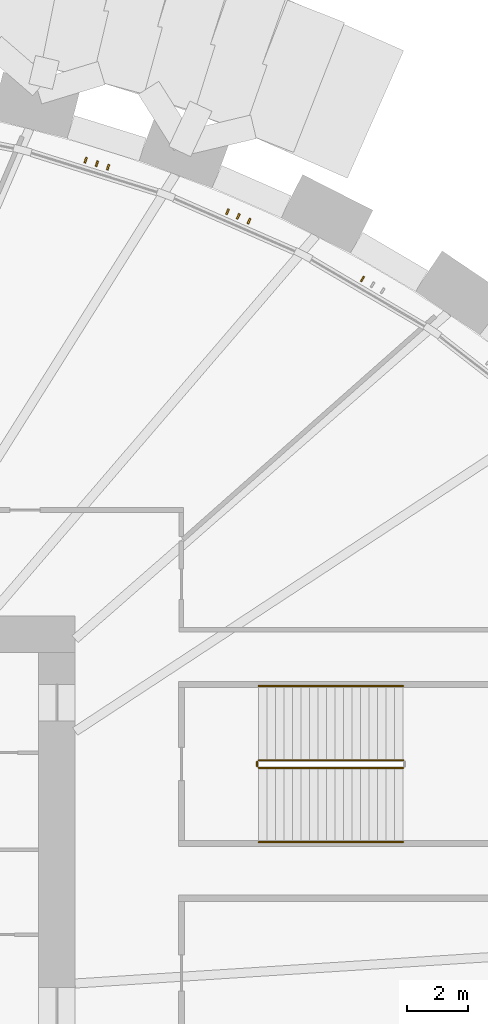
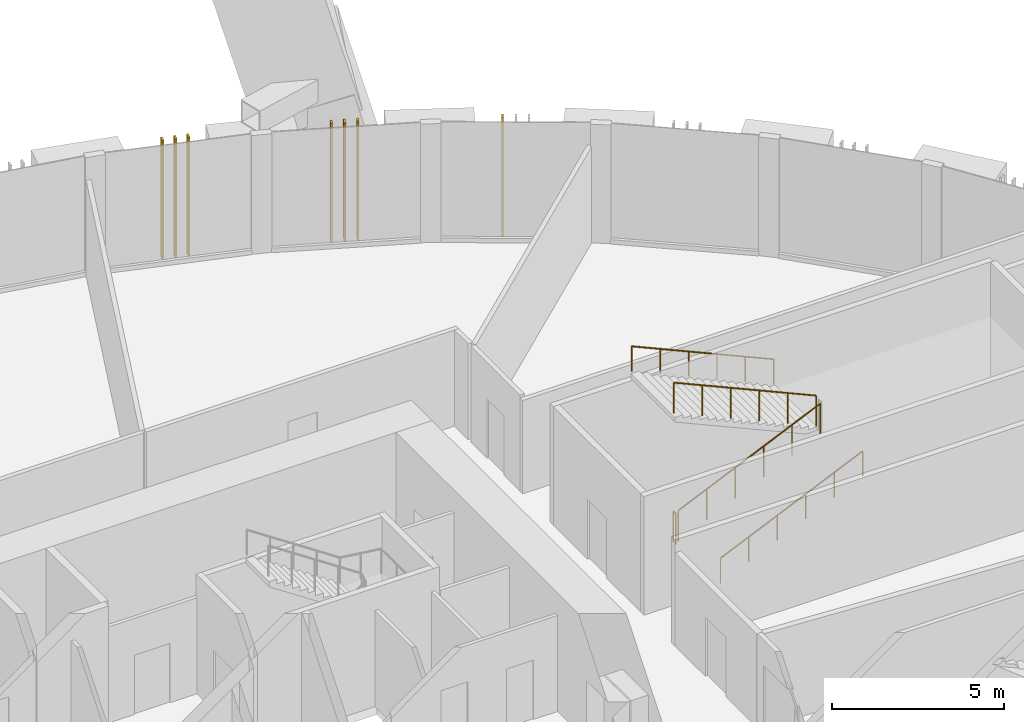
# One storey, part 20 of 23: 7 shading devices, 5 railings.
"""IFC4 building model written with IfcOpenShell, lengths in metres."""

from ifc_helpers import new_model, si_unit, direction, frame, origin, origin_2d, place, context, subcontext, project, spatial, rectangle, circle, extrude, source, transform, mapped, material, material_profile, profile_set, type_object, element, save


model = new_model("IFC4")

# Units and contexts
model_context = context("Model", 3, precision=1e-05, world=origin(), true_north=direction((0.0, 1.0)))
body_context = subcontext(model_context, "Body", "Model", "MODEL_VIEW")
ifc_project = project(units=[si_unit("LENGTHUNIT", "METRE"), si_unit("AREAUNIT", "SQUARE_METRE"), si_unit("VOLUMEUNIT", "CUBIC_METRE"), si_unit("PLANEANGLEUNIT", "RADIAN"), si_unit("MASSUNIT", "GRAM", prefix="KILO")], contexts=[model_context])

# Site, building, storey
site_placement = place(None, origin())
site = spatial("IfcSite", under=ifc_project, at=site_placement, CompositionType="ELEMENT")
building_placement = place(site_placement, origin())
building = spatial("IfcBuilding", under=site, at=building_placement, Name="Embergate Tower", CompositionType="ELEMENT")
storey_placement = place(building_placement, frame((0.0, 0.0, 29.0)))
storey = spatial("IfcBuildingStorey", under=building, at=storey_placement, Name="L03", CompositionType="ELEMENT", Elevation=29.0)

# Shading devices
ifc_material_1 = material(Name="Terracotta, extruded and glazed", Category="masonry")
ifc_material_profile = material_profile(ifc_material_1, rectangle(XDim=0.18994140625, YDim=0.06005859375, at=origin_2d()), Name="TC 190x60")
ifc_profile_set = profile_set([ifc_material_profile], Name="Terracotta, extruded and glazed")
shading_device_type = type_object("IfcShadingDeviceType", Name="Terracotta fin", PredefinedType="USERDEFINED", material=ifc_profile_set)
shared_shape_1 = source(origin(), body_context, "Body", "SweptSolid", [
    extrude(rectangle(XDim=0.18994140625, YDim=0.06005859375, at=origin_2d()), origin(), (0.0, 0.0, 1.0), 4.199951171875),
])
for number, where, z_axis, x_axis, name in (
    (1, (23.474365234375, 24.1162109375, 0.0), (0.0, 0.0, 1.0), (-0.506828384679, -0.862046975799, 0.0), "Fin 6.3"),
    (2, (19.732421875, 26.025634765625, 0.0), (0.0, 0.0, 1.0), (-0.400648090553, -0.916232016214, 0.0), "Fin 7.1"),
    (3, (19.378173828125, 26.180419921875, 0.0), (0.0, 0.0, 1.0), (-0.400648090553, -0.916232016214, 0.0), "Fin 7.2"),
    (4, (19.023681640625, 26.33544921875, 0.0), (0.0, 0.0, 1.0), (-0.400648090553, -0.916232016214, 0.0), "Fin 7.3"),
    (5, (15.08740234375, 27.803955078125, 0.0), (0.0, 0.0, 1.0), (-0.297346545624, -0.954769622373, 0.0), "Fin 8.1"),
    (6, (14.71728515625, 27.919189453125, 0.0), (0.0, 0.0, 1.0), (-0.297346545624, -0.954769622373, 0.0), "Fin 8.2"),
    (7, (14.34716796875, 28.034423828125, 0.0), (0.0, 0.0, 1.0), (-0.297346545624, -0.954769622373, 0.0), "Fin 8.3"),
):
    element("IfcShadingDevice", number, at=place(storey_placement, frame(where, z_axis=z_axis, x_axis=x_axis)), inside=storey, type_object=shading_device_type, Name=name, ObjectType="FIN", PredefinedType="USERDEFINED", context=body_context, shape_type="MappedRepresentation", body=[
        mapped(shared_shape_1, transform((0.0, 0.0, 0.0))),
    ])

# Railings
ifc_material_2 = material(Name="Steel", Category="steel")
railing_type_1 = type_object("IfcRailingType", Name="Podium stair guard 1100", PredefinedType="GUARDRAIL", material=ifc_material_2)
shared_shape_2 = source(origin(), body_context, "Body", "SweptSolid", [
    extrude(circle(Radius=0.02392578125, at=origin_2d()), frame((0.0, 0.0, 1.076171875), z_axis=(0.0, 1.0, 0.0), x_axis=(-1.0, 0.0, 0.0)), (0.0, 0.0, 1.0), 0.14990234375),
    extrude(circle(Radius=0.02099609375, at=origin_2d()), origin(), (0.0, 0.0, 1.0), 1.052001953125),
    extrude(circle(Radius=0.02099609375, at=origin_2d()), frame((0.0, 0.14990234375, 0.0)), (0.0, 0.0, 1.0), 1.052001953125),
])
railing_1_placement = place(storey_placement, frame((20.0, 8.050048828125, 0.0)))
element("IfcRailing", 8, at=railing_1_placement, inside=storey, type_object=railing_type_1, Name="L03 P1 stair guard 4", PredefinedType="GUARDRAIL", context=body_context, shape_type="MappedRepresentation", body=[
    mapped(shared_shape_2, transform((0.0, 0.0, 0.0))),
])
shared_shape_3 = source(origin(), body_context, "Body", "SweptSolid", [
    extrude(circle(Radius=0.02392578125, at=origin_2d()), frame((0.0, 0.0, 1.076171875), z_axis=(0.913138193756, 0.0, 0.40765014302), x_axis=(0.0, 1.0, 0.0)), (0.0, 0.0, 1.0), 5.212890625),
    extrude(circle(Radius=0.02099609375, at=origin_2d()), origin(), (0.0, 0.0, 1.0), 1.052001953125),
    extrude(circle(Radius=0.02099609375, at=origin_2d()), frame((0.951904296875, 0.0, 0.425048828125)), (0.0, 0.0, 1.0), 1.052001953125),
    extrude(circle(Radius=0.02099609375, at=origin_2d()), frame((1.904052734375, 0.0, 0.85009765625)), (0.0, 0.0, 1.0), 1.052001953125),
    extrude(circle(Radius=0.02099609375, at=origin_2d()), frame((2.85595703125, 0.0, 1.27490234375)), (0.0, 0.0, 1.0), 1.052001953125),
    extrude(circle(Radius=0.02099609375, at=origin_2d()), frame((3.80810546875, 0.0, 1.699951171875)), (0.0, 0.0, 1.0), 1.052001953125),
    extrude(circle(Radius=0.02099609375, at=origin_2d()), frame((4.760009765625, 0.0, 2.125)), (0.0, 0.0, 1.0), 1.052001953125),
])
railing_2_placement = place(storey_placement, frame((20.050048828125, 8.0, 0.125)))
element("IfcRailing", 9, at=railing_2_placement, inside=storey, type_object=railing_type_1, Name="L03 P1 stair guard 1", PredefinedType="GUARDRAIL", context=body_context, shape_type="MappedRepresentation", body=[
    mapped(shared_shape_3, transform((0.0, 0.0, 0.0))),
])
shared_shape_4 = source(origin(), body_context, "Body", "SweptSolid", [
    extrude(circle(Radius=0.02392578125, at=origin_2d()), frame((0.0, 0.0, 1.076171875), z_axis=(-0.913138193756, 0.0, 0.40765014302), x_axis=(0.0, -1.0, 0.0)), (0.0, 0.0, 1.0), 5.212890625),
    extrude(circle(Radius=0.02099609375, at=origin_2d()), origin(), (0.0, 0.0, 1.0), 1.052001953125),
    extrude(circle(Radius=0.02099609375, at=origin_2d()), frame((-0.951904296875, 0.0, 0.425048828125)), (0.0, 0.0, 1.0), 1.052001953125),
    extrude(circle(Radius=0.02099609375, at=origin_2d()), frame((-1.904052734375, 0.0, 0.85009765625)), (0.0, 0.0, 1.0), 1.052001953125),
    extrude(circle(Radius=0.02099609375, at=origin_2d()), frame((-2.85595703125, 0.0, 1.27490234375)), (0.0, 0.0, 1.0), 1.052001953125),
    extrude(circle(Radius=0.02099609375, at=origin_2d()), frame((-3.80810546875, 0.0, 1.699951171875)), (0.0, 0.0, 1.0), 1.052001953125),
    extrude(circle(Radius=0.02099609375, at=origin_2d()), frame((-4.760009765625, 0.0, 2.125)), (0.0, 0.0, 1.0), 1.052001953125),
])
railing_3_placement = place(storey_placement, frame((24.81005859375, 8.25, 2.375)))
element("IfcRailing", 10, at=railing_3_placement, inside=storey, type_object=railing_type_1, Name="L03 P1 stair guard 3", PredefinedType="GUARDRAIL", context=body_context, shape_type="MappedRepresentation", body=[
    mapped(shared_shape_4, transform((0.0, 0.0, 0.0))),
])
railing_type_2 = type_object("IfcRailingType", Name="Podium stair handrail 900", PredefinedType="HANDRAIL", material=ifc_material_2)
shared_shape_5 = source(origin(), body_context, "Body", "SweptSolid", [
    extrude(circle(Radius=0.02392578125, at=origin_2d()), frame((0.0, 0.0, 0.8759765625), z_axis=(0.913138193756, 0.0, 0.40765014302), x_axis=(0.0, 1.0, 0.0)), (0.0, 0.0, 1.0), 5.212890625),
    extrude(circle(Radius=0.02099609375, at=origin_2d()), origin(), (0.0, 0.0, 1.0), 0.851806640625),
    extrude(circle(Radius=0.02099609375, at=origin_2d()), frame((0.951904296875, 0.0, 0.425048828125)), (0.0, 0.0, 1.0), 0.851806640625),
    extrude(circle(Radius=0.02099609375, at=origin_2d()), frame((1.904052734375, 0.0, 0.85009765625)), (0.0, 0.0, 1.0), 0.851806640625),
    extrude(circle(Radius=0.02099609375, at=origin_2d()), frame((2.85595703125, 0.0, 1.27490234375)), (0.0, 0.0, 1.0), 0.851806640625),
    extrude(circle(Radius=0.02099609375, at=origin_2d()), frame((3.80810546875, 0.0, 1.699951171875)), (0.0, 0.0, 1.0), 0.851806640625),
    extrude(circle(Radius=0.02099609375, at=origin_2d()), frame((4.760009765625, 0.0, 2.125)), (0.0, 0.0, 1.0), 0.851806640625),
])
railing_4_placement = place(storey_placement, frame((20.050048828125, 5.550048828125, 0.125)))
element("IfcRailing", 11, at=railing_4_placement, inside=storey, type_object=railing_type_2, Name="L03 P1 stair handrail 1", PredefinedType="HANDRAIL", context=body_context, shape_type="MappedRepresentation", body=[
    mapped(shared_shape_5, transform((0.0, 0.0, 0.0))),
])
shared_shape_6 = source(origin(), body_context, "Body", "SweptSolid", [
    extrude(circle(Radius=0.02392578125, at=origin_2d()), frame((0.0, 0.0, 0.8759765625), z_axis=(-0.913138193756, 0.0, 0.40765014302), x_axis=(0.0, -1.0, 0.0)), (0.0, 0.0, 1.0), 5.212890625),
    extrude(circle(Radius=0.02099609375, at=origin_2d()), origin(), (0.0, 0.0, 1.0), 0.851806640625),
    extrude(circle(Radius=0.02099609375, at=origin_2d()), frame((-0.951904296875, 0.0, 0.425048828125)), (0.0, 0.0, 1.0), 0.851806640625),
    extrude(circle(Radius=0.02099609375, at=origin_2d()), frame((-1.904052734375, 0.0, 0.85009765625)), (0.0, 0.0, 1.0), 0.851806640625),
    extrude(circle(Radius=0.02099609375, at=origin_2d()), frame((-2.85595703125, 0.0, 1.27490234375)), (0.0, 0.0, 1.0), 0.851806640625),
    extrude(circle(Radius=0.02099609375, at=origin_2d()), frame((-3.80810546875, 0.0, 1.699951171875)), (0.0, 0.0, 1.0), 0.851806640625),
    extrude(circle(Radius=0.02099609375, at=origin_2d()), frame((-4.760009765625, 0.0, 2.125)), (0.0, 0.0, 1.0), 0.851806640625),
])
railing_5_placement = place(storey_placement, frame((24.81005859375, 10.699951171875, 2.375)))
element("IfcRailing", 12, at=railing_5_placement, inside=storey, type_object=railing_type_2, Name="L03 P1 stair handrail 2", PredefinedType="HANDRAIL", context=body_context, shape_type="MappedRepresentation", body=[
    mapped(shared_shape_6, transform((0.0, 0.0, 0.0))),
])

save(model, "model.ifc")
